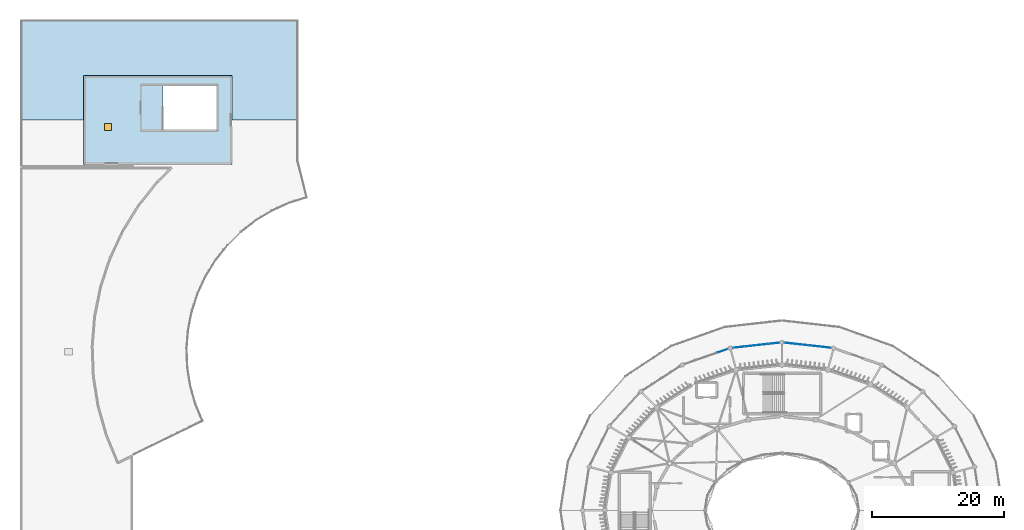
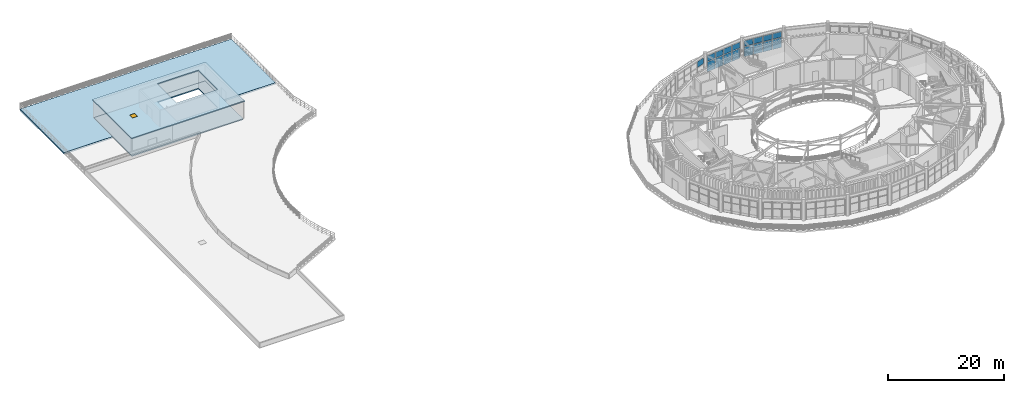
# One storey, part 21 of 45: 17 plates, 3 slabs, 1 door, 1 opening, 3 elements without a shape of their own.
"""IFC4 building model written with IfcOpenShell, lengths in metres."""

from ifc_helpers import new_model, si_unit, direction, frame, origin, origin_2d, place, context, subcontext, project, spatial, polyline, rectangle, outline, extrude, material, layer, layer_set, type_object, element, fill, aggregate, save


model = new_model("IFC4")

# Units and contexts
model_context = context("Model", 3, precision=1e-05, world=origin(), true_north=direction((0.0, 1.0)))
body_context = subcontext(model_context, "Body", "Model", "MODEL_VIEW")
ifc_project = project(units=[si_unit("LENGTHUNIT", "METRE"), si_unit("AREAUNIT", "SQUARE_METRE"), si_unit("VOLUMEUNIT", "CUBIC_METRE"), si_unit("PLANEANGLEUNIT", "RADIAN"), si_unit("MASSUNIT", "GRAM", prefix="KILO")], contexts=[model_context])

# Site, building, storey
site_placement = place(None, origin())
site = spatial("IfcSite", under=ifc_project, at=site_placement, CompositionType="ELEMENT")
building_placement = place(site_placement, origin())
building = spatial("IfcBuilding", under=site, at=building_placement, Name="Cinderbank Siding Concert Hall", CompositionType="ELEMENT")
storey_placement = place(building_placement, frame((0.0, 0.0, 19.199951171875)))
storey = spatial("IfcBuildingStorey", under=building, at=storey_placement, Name="L05", CompositionType="ELEMENT", Elevation=19.199951171875)

# Curtain wall, plates
ifc_material_1 = material(Name="Anodised aluminium alloy 6063-T6", Category="aluminium")
curtain_wall_type_1 = type_object("IfcCurtainWallType", Name="CW-10 Unitised Acoustic Curtain Wall 7200x3500", PredefinedType="NOTDEFINED", material=ifc_material_1)
curtain_wall_1_placement = place(storey_placement, origin())
curtain_wall_1 = element("IfcCurtainWall", 1, at=curtain_wall_1_placement, inside=storey, type_object=curtain_wall_type_1, Name="L05 Curtain Wall CW-10 #76", PredefinedType="NOTDEFINED")
ifc_material_2 = material(Name="Double-glazed laminated acoustic glass", Category="glass")
ifc_layer_1 = layer(ifc_material_2, 0.031982421875)
ifc_layer_set_1 = layer_set([ifc_layer_1], Name="Double-glazed laminated acoustic glass")
plate_type_1 = type_object("IfcPlateType", Name="CP-05 Glazed Curtain Panel 1200x1800", PredefinedType="CURTAIN_PANEL", material=ifc_layer_set_1)
plate_1_placement = place(storey_placement, frame((128.548583984375, 68.6748046875, 0.1201171875), z_axis=(0.0, 0.0, 1.0), x_axis=(-0.993925224089, 0.110057480072, 0.0)))
plate_1 = element("IfcPlate", 2, at=plate_1_placement, type_object=plate_type_1, Name="CW-L05-076 Glazed Panel 0-0", PredefinedType="CURTAIN_PANEL", context=body_context, shape_type="SweptSolid", body=[
    extrude(rectangle(XDim=1.6708984375, YDim=0.035888671875, at=origin_2d()), origin(), (0.0, 0.0, 1.0), 2.05810546875),
])
plate_2_placement = place(storey_placement, frame((128.548583984375, 68.6748046875, 2.298095703125), z_axis=(0.0, 0.0, 1.0), x_axis=(-0.993925224089, 0.110057480072, 0.0)))
plate_2 = element("IfcPlate", 3, at=plate_2_placement, type_object=plate_type_1, Name="CW-L05-076 Glazed Panel 0-1", PredefinedType="CURTAIN_PANEL", context=body_context, shape_type="SweptSolid", body=[
    extrude(rectangle(XDim=1.6708984375, YDim=0.035888671875, at=origin_2d()), origin(), (0.0, 0.0, 1.0), 1.19189453125),
])
plate_3_placement = place(storey_placement, frame((126.788330078125, 68.869873046875, 0.1201171875), z_axis=(0.0, 0.0, 1.0), x_axis=(-0.993925224089, 0.110057480072, 0.0)))
plate_3 = element("IfcPlate", 4, at=plate_3_placement, type_object=plate_type_1, Name="CW-L05-076 Glazed Panel 1-0", PredefinedType="CURTAIN_PANEL", context=body_context, shape_type="SweptSolid", body=[
    extrude(rectangle(XDim=1.6708984375, YDim=0.035888671875, at=origin_2d()), origin(), (0.0, 0.0, 1.0), 2.05810546875),
])
plate_4_placement = place(storey_placement, frame((126.788330078125, 68.869873046875, 2.298095703125), z_axis=(0.0, 0.0, 1.0), x_axis=(-0.993925224089, 0.110057480072, 0.0)))
plate_4 = element("IfcPlate", 5, at=plate_4_placement, type_object=plate_type_1, Name="CW-L05-076 Glazed Panel 1-1", PredefinedType="CURTAIN_PANEL", context=body_context, shape_type="SweptSolid", body=[
    extrude(rectangle(XDim=1.6708984375, YDim=0.035888671875, at=origin_2d()), origin(), (0.0, 0.0, 1.0), 1.19189453125),
])
plate_5_placement = place(storey_placement, frame((125.028076171875, 69.064697265625, 0.1201171875), z_axis=(0.0, 0.0, 1.0), x_axis=(-0.993925224089, 0.110057480072, 0.0)))
plate_5 = element("IfcPlate", 6, at=plate_5_placement, type_object=plate_type_1, Name="CW-L05-076 Glazed Panel 2-0", PredefinedType="CURTAIN_PANEL", context=body_context, shape_type="SweptSolid", body=[
    extrude(rectangle(XDim=1.6708984375, YDim=0.035888671875, at=origin_2d()), origin(), (0.0, 0.0, 1.0), 2.05810546875),
])
plate_6_placement = place(storey_placement, frame((125.028076171875, 69.064697265625, 2.298095703125), z_axis=(0.0, 0.0, 1.0), x_axis=(-0.993925224089, 0.110057480072, 0.0)))
plate_6 = element("IfcPlate", 7, at=plate_6_placement, type_object=plate_type_1, Name="CW-L05-076 Glazed Panel 2-1", PredefinedType="CURTAIN_PANEL", context=body_context, shape_type="SweptSolid", body=[
    extrude(rectangle(XDim=1.6708984375, YDim=0.035888671875, at=origin_2d()), origin(), (0.0, 0.0, 1.0), 1.19189453125),
])
plate_7_placement = place(storey_placement, frame((123.267822265625, 69.259521484375, 0.1201171875), z_axis=(0.0, 0.0, 1.0), x_axis=(-0.993925224089, 0.110057480072, 0.0)))
plate_7 = element("IfcPlate", 8, at=plate_7_placement, type_object=plate_type_1, Name="CW-L05-076 Glazed Panel 3-0", PredefinedType="CURTAIN_PANEL", context=body_context, shape_type="SweptSolid", body=[
    extrude(rectangle(XDim=1.6708984375, YDim=0.035888671875, at=origin_2d()), origin(), (0.0, 0.0, 1.0), 2.05810546875),
])
plate_8_placement = place(storey_placement, frame((123.267822265625, 69.259521484375, 2.298095703125), z_axis=(0.0, 0.0, 1.0), x_axis=(-0.993925224089, 0.110057480072, 0.0)))
plate_8 = element("IfcPlate", 9, at=plate_8_placement, type_object=plate_type_1, Name="CW-L05-076 Glazed Panel 3-1", PredefinedType="CURTAIN_PANEL", context=body_context, shape_type="SweptSolid", body=[
    extrude(rectangle(XDim=1.6708984375, YDim=0.035888671875, at=origin_2d()), origin(), (0.0, 0.0, 1.0), 1.19189453125),
])
aggregate(curtain_wall_1, [plate_1, plate_2, plate_3, plate_4, plate_5, plate_6, plate_7, plate_8])

curtain_wall_type_2 = type_object("IfcCurtainWallType", Name="CW-11 Unitised Acoustic Curtain Wall 6600x3500", PredefinedType="NOTDEFINED", material=ifc_material_1)
curtain_wall_2_placement = place(storey_placement, origin())
curtain_wall_2 = element("IfcCurtainWall", 10, at=curtain_wall_2_placement, inside=storey, type_object=curtain_wall_type_2, Name="L05 Curtain Wall CW-11 #77", PredefinedType="NOTDEFINED")
ifc_layer_2 = layer(ifc_material_2, 0.0380859375)
ifc_layer_set_2 = layer_set([ifc_layer_2], Name="Double-glazed laminated acoustic glass")
plate_type_2 = type_object("IfcPlateType", Name="CP-06 Glazed Curtain Panel 2100x1600", PredefinedType="CURTAIN_PANEL", material=ifc_layer_set_2)
plate_9_placement = place(storey_placement, frame((120.732177734375, 69.259521484375, 0.1201171875), z_axis=(0.0, 0.0, 1.0), x_axis=(-0.993925224089, -0.110057480072, 0.0)))
plate_9 = element("IfcPlate", 11, at=plate_9_placement, type_object=plate_type_2, Name="CW-L05-077 Glazed Panel 0-0", PredefinedType="CURTAIN_PANEL", context=body_context, shape_type="SweptSolid", body=[
    extrude(rectangle(XDim=1.6708984375, YDim=0.035888671875, at=origin_2d()), origin(), (0.0, 0.0, 1.0), 2.05810546875),
])
plate_10_placement = place(storey_placement, frame((120.732177734375, 69.259521484375, 2.298095703125), z_axis=(0.0, 0.0, 1.0), x_axis=(-0.993925224089, -0.110057480072, 0.0)))
plate_10 = element("IfcPlate", 12, at=plate_10_placement, type_object=plate_type_2, Name="CW-L05-077 Glazed Panel 0-1", PredefinedType="CURTAIN_PANEL", context=body_context, shape_type="SweptSolid", body=[
    extrude(rectangle(XDim=1.6708984375, YDim=0.035888671875, at=origin_2d()), origin(), (0.0, 0.0, 1.0), 1.19189453125),
])
plate_11_placement = place(storey_placement, frame((118.971923828125, 69.064697265625, 0.1201171875), z_axis=(0.0, 0.0, 1.0), x_axis=(-0.993925224089, -0.110057480072, 0.0)))
plate_11 = element("IfcPlate", 13, at=plate_11_placement, type_object=plate_type_2, Name="CW-L05-077 Glazed Panel 1-0", PredefinedType="CURTAIN_PANEL", context=body_context, shape_type="SweptSolid", body=[
    extrude(rectangle(XDim=1.6708984375, YDim=0.035888671875, at=origin_2d()), origin(), (0.0, 0.0, 1.0), 2.05810546875),
])
plate_12_placement = place(storey_placement, frame((118.971923828125, 69.064697265625, 2.298095703125), z_axis=(0.0, 0.0, 1.0), x_axis=(-0.993925224089, -0.110057480072, 0.0)))
plate_12 = element("IfcPlate", 14, at=plate_12_placement, type_object=plate_type_2, Name="CW-L05-077 Glazed Panel 1-1", PredefinedType="CURTAIN_PANEL", context=body_context, shape_type="SweptSolid", body=[
    extrude(rectangle(XDim=1.6708984375, YDim=0.035888671875, at=origin_2d()), origin(), (0.0, 0.0, 1.0), 1.19189453125),
])
plate_13_placement = place(storey_placement, frame((117.211669921875, 68.869873046875, 0.1201171875), z_axis=(0.0, 0.0, 1.0), x_axis=(-0.993925224089, -0.110057480072, 0.0)))
plate_13 = element("IfcPlate", 15, at=plate_13_placement, type_object=plate_type_2, Name="CW-L05-077 Glazed Panel 2-0", PredefinedType="CURTAIN_PANEL", context=body_context, shape_type="SweptSolid", body=[
    extrude(rectangle(XDim=1.6708984375, YDim=0.035888671875, at=origin_2d()), origin(), (0.0, 0.0, 1.0), 2.05810546875),
])
plate_14_placement = place(storey_placement, frame((117.211669921875, 68.869873046875, 2.298095703125), z_axis=(0.0, 0.0, 1.0), x_axis=(-0.993925224089, -0.110057480072, 0.0)))
plate_14 = element("IfcPlate", 16, at=plate_14_placement, type_object=plate_type_2, Name="CW-L05-077 Glazed Panel 2-1", PredefinedType="CURTAIN_PANEL", context=body_context, shape_type="SweptSolid", body=[
    extrude(rectangle(XDim=1.6708984375, YDim=0.035888671875, at=origin_2d()), origin(), (0.0, 0.0, 1.0), 1.19189453125),
])
plate_15_placement = place(storey_placement, frame((115.451416015625, 68.6748046875, 0.1201171875), z_axis=(0.0, 0.0, 1.0), x_axis=(-0.993925224089, -0.110057480072, 0.0)))
plate_15 = element("IfcPlate", 17, at=plate_15_placement, type_object=plate_type_2, Name="CW-L05-077 Glazed Panel 3-0", PredefinedType="CURTAIN_PANEL", context=body_context, shape_type="SweptSolid", body=[
    extrude(rectangle(XDim=1.6708984375, YDim=0.035888671875, at=origin_2d()), origin(), (0.0, 0.0, 1.0), 2.05810546875),
])
plate_16_placement = place(storey_placement, frame((115.451416015625, 68.6748046875, 2.298095703125), z_axis=(0.0, 0.0, 1.0), x_axis=(-0.993925224089, -0.110057480072, 0.0)))
plate_16 = element("IfcPlate", 18, at=plate_16_placement, type_object=plate_type_2, Name="CW-L05-077 Glazed Panel 3-1", PredefinedType="CURTAIN_PANEL", context=body_context, shape_type="SweptSolid", body=[
    extrude(rectangle(XDim=1.6708984375, YDim=0.035888671875, at=origin_2d()), origin(), (0.0, 0.0, 1.0), 1.19189453125),
])
aggregate(curtain_wall_2, [plate_9, plate_10, plate_11, plate_12, plate_13, plate_14, plate_15, plate_16])

# Curtain wall, plate
curtain_wall_type_3 = type_object("IfcCurtainWallType", Name="CW-12 Unitised Acoustic Curtain Wall 5800x3500", PredefinedType="NOTDEFINED", material=ifc_material_1)
curtain_wall_3_placement = place(storey_placement, origin())
curtain_wall_3 = element("IfcCurtainWall", 19, at=curtain_wall_3_placement, inside=storey, type_object=curtain_wall_type_3, Name="L05 Curtain Wall CW-12 #78", PredefinedType="NOTDEFINED")
ifc_layer_3 = layer(ifc_material_2, 0.033935546875)
ifc_layer_set_3 = layer_set([ifc_layer_3], Name="Double-glazed laminated acoustic glass")
plate_type_3 = type_object("IfcPlateType", Name="CP-07 Glazed Curtain Panel 1500x1750", PredefinedType="CURTAIN_PANEL", material=ifc_layer_set_3)
plate_17_placement = place(storey_placement, frame((112.9970703125, 68.12109375, 2.298095703125), z_axis=(0.0, 0.0, 1.0), x_axis=(-0.944334191914, -0.328987741387, 0.0)))
plate_17 = element("IfcPlate", 20, at=plate_17_placement, type_object=plate_type_3, Name="CW-L05-078 Glazed Panel 0-1", PredefinedType="CURTAIN_PANEL", context=body_context, shape_type="SweptSolid", body=[
    extrude(rectangle(XDim=1.63330078125, YDim=0.035888671875, at=origin_2d()), origin(), (0.0, 0.0, 1.0), 1.19189453125),
])
aggregate(curtain_wall_3, [plate_17])

# Slab, opening, door
ifc_material_3 = material(Name="Reinforced concrete AS 3600 N50 (50 MPa)", Category="concrete")
ifc_layer_4 = layer(ifc_material_3, 0.2099609375)
ifc_layer_set_4 = layer_set([ifc_layer_4], Name="Reinforced concrete AS 3600 N50 (50 MPa)")
slab_type_1 = type_object("IfcSlabType", Name="RF-02 Slab 210mm", PredefinedType="ROOF", material=ifc_layer_set_4)
slab_1_placement = place(storey_placement, frame((0.0, 0.0, 3.60009765625)))
slab_1 = element("IfcSlab", 21, at=slab_1_placement, inside=storey, type_object=slab_type_1, Name="L05 Garden Conservatory Roof", PredefinedType="ROOF", context=body_context, shape_type="SweptSolid", body=[
    extrude(outline(polyline([(16.300048828125, 96.300048828125), (16.300048828125, 109.800048828125), (38.800048828125, 109.800048828125), (38.800048828125, 96.300048828125), (16.300048828125, 96.300048828125)]), holes=[polyline([(28.35009765625, 101.60009765625), (36.5, 101.60009765625), (36.5, 108.260009765625), (28.35009765625, 108.260009765625), (28.35009765625, 101.60009765625)]), polyline([(19.5, 101.5), (20.5, 101.5), (20.5, 102.5), (19.5, 102.5), (19.5, 101.5)])]), origin(), (0.0, 0.0, 1.0), 0.2099609375),
])
opening_placement = place(slab_1_placement, frame((20.0, 102.0, -0.011962890625)))
opening = element("IfcOpeningElement", 22, at=opening_placement, cuts=slab_1, Name="Opening RH-01", PredefinedType="OPENING", context=body_context, shape_type="SweptSolid", body=[
    extrude(rectangle(XDim=1.0, YDim=1.0, at=origin_2d()), origin(), (0.0, 0.0, 1.0), 0.23388671875),
])
ifc_material_4 = material(Name="Galvanised sheet steel acoustic fire door assembly", Category="steel")
door_type = type_object("IfcDoorType", Name="RH-01 Exterior Trapdoor 1000x1000", OperationType="SINGLE_SWING_LEFT", PredefinedType="TRAPDOOR", material=ifc_material_4)
door_placement = place(slab_1_placement, frame((20.0, 102.0, 0.159912109375)))
door = element("IfcDoor", 23, at=door_placement, inside=storey, type_object=door_type, Name="Roof Maintenance Hatch L05-RH04", OperationType="SINGLE_SWING_LEFT", OverallHeight=1.0, OverallWidth=1.0, PredefinedType="TRAPDOOR", context=body_context, shape_type="SweptSolid", body=[
    extrude(rectangle(XDim=1.0, YDim=1.0, at=origin_2d()), origin(), (0.0, 0.0, 1.0), 0.050048828125),
])
fill(opening, door)

# Slabs
ifc_layer_5 = layer(ifc_material_3, 0.239990234375)
ifc_layer_set_5 = layer_set([ifc_layer_5], Name="Reinforced concrete AS 3600 N50 (50 MPa)")
slab_type_2 = type_object("IfcSlabType", Name="SL-06 Slab 240mm", PredefinedType="FLOOR", material=ifc_layer_set_5)
slab_2_placement = place(storey_placement, frame((0.0, 0.0, -0.239990234375)))
element("IfcSlab", 24, at=slab_2_placement, inside=storey, type_object=slab_type_2, Name="L05 Garden Conservatory Floor Slab", PredefinedType="FLOOR", context=body_context, shape_type="SweptSolid", body=[
    extrude(outline(polyline([(16.5, 96.5), (16.5, 109.60009765625), (38.60009765625, 109.60009765625), (38.60009765625, 96.5), (16.5, 96.5)]), holes=[polyline([(28.35009765625, 101.60009765625), (36.5, 101.60009765625), (36.5, 108.260009765625), (28.35009765625, 108.260009765625), (28.35009765625, 101.60009765625)])]), origin(), (0.0, 0.0, 1.0), 0.239990234375),
])
ifc_layer_6 = layer(ifc_material_3, 0.340087890625)
ifc_layer_set_6 = layer_set([ifc_layer_6], Name="Reinforced concrete AS 3600 N50 (50 MPa)")
slab_type_3 = type_object("IfcSlabType", Name="SL-TR2 Slab 340mm", PredefinedType="FLOOR", material=ifc_layer_set_6)
slab_3_placement = place(storey_placement, frame((0.0, 0.0, -0.33984375)))
element("IfcSlab", 25, at=slab_3_placement, inside=storey, type_object=slab_type_3, Name="L05 Planted Artists Roof Garden North", PredefinedType="FLOOR", context=body_context, shape_type="SweptSolid", body=[
    extrude(outline(polyline([(6.800048828125, 118.199951171875), (48.800048828125, 118.199951171875), (48.800048828125, 103.055908203125), (38.60009765625, 103.055908203125), (38.60009765625, 109.60009765625), (16.5, 109.60009765625), (16.5, 103.055908203125), (6.800048828125, 103.055908203125), (6.800048828125, 118.199951171875)])), origin(), (0.0, 0.0, 1.0), 0.33984375),
])

save(model, "model.ifc")
